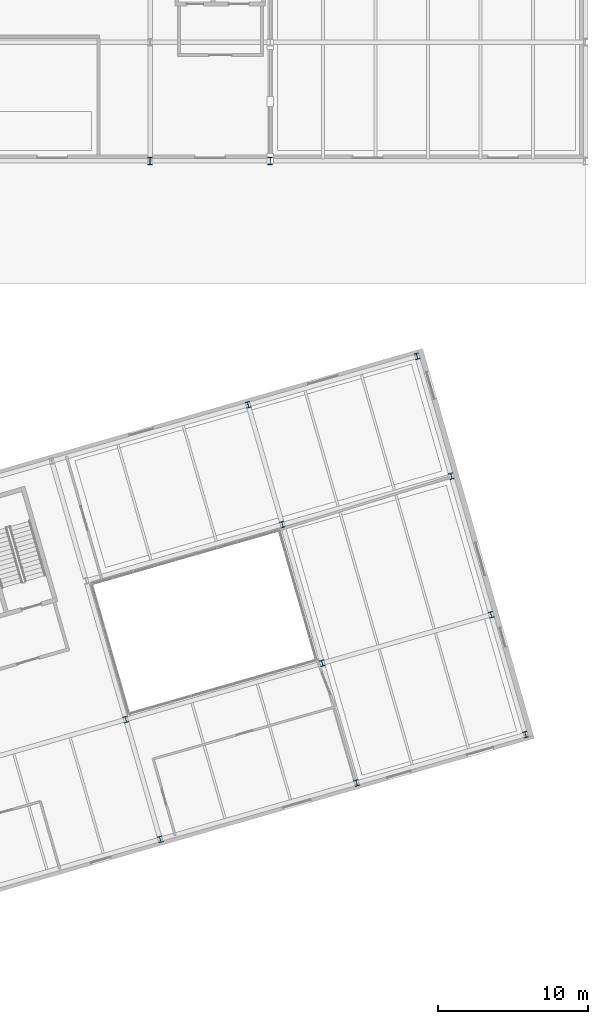
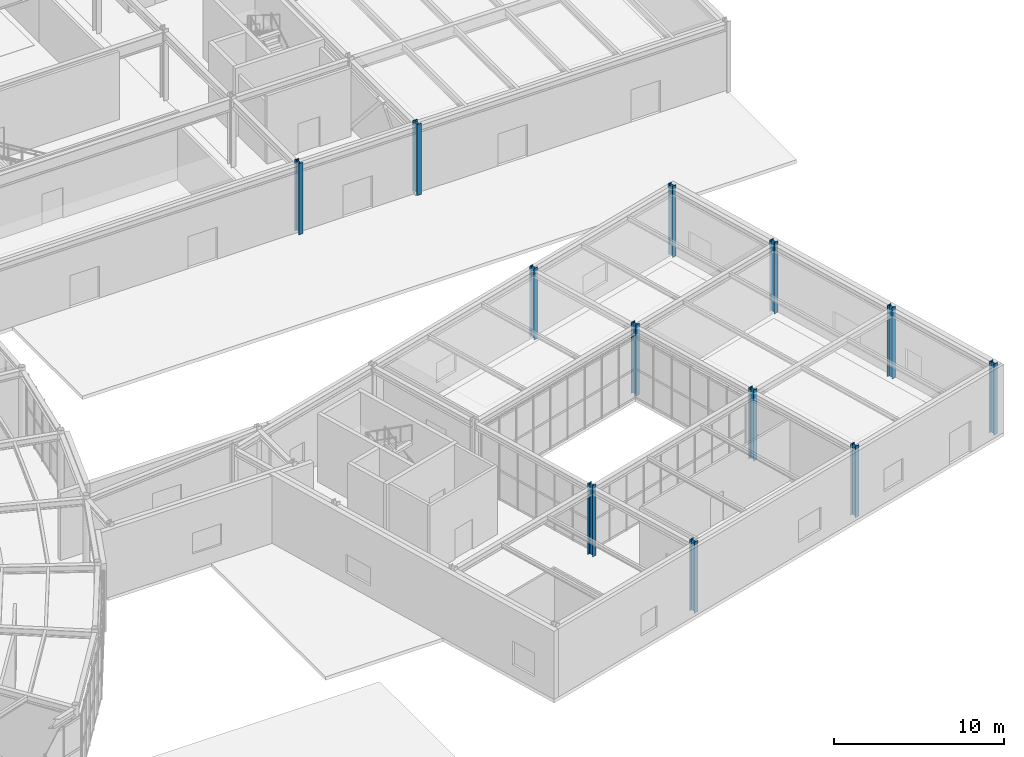
# One storey, part 15 of 97: 12 columns.
"""IFC4 building model written with IfcOpenShell, lengths in metres."""

from ifc_helpers import new_model, si_unit, direction, frame, origin, origin_2d, place, context, subcontext, project, spatial, i_section, extrude, material, material_profile, profile_set, type_object, element, save


model = new_model("IFC4")

# Units and contexts
model_context = context("Model", 3, precision=1e-05, world=origin(), true_north=direction((0.0, 1.0)))
body_context = subcontext(model_context, "Body", "Model", "MODEL_VIEW")
ifc_project = project(units=[si_unit("LENGTHUNIT", "METRE"), si_unit("AREAUNIT", "SQUARE_METRE"), si_unit("VOLUMEUNIT", "CUBIC_METRE"), si_unit("PLANEANGLEUNIT", "RADIAN"), si_unit("MASSUNIT", "GRAM", prefix="KILO")], contexts=[model_context])

# Site, building, storey
site_placement = place(None, origin())
site = spatial("IfcSite", under=ifc_project, at=site_placement, CompositionType="ELEMENT")
building_placement = place(site_placement, origin())
building = spatial("IfcBuilding", under=site, at=building_placement, Name="Varnklinge Art Gallery", CompositionType="ELEMENT")
storey_placement = place(building_placement, origin())
storey = spatial("IfcBuildingStorey", under=building, at=storey_placement, Name="L00", CompositionType="ELEMENT", Elevation=0.0)

# Columns
ifc_material_1 = material(Name="Steel S355", Category="steel")
ifc_material_profile_1 = material_profile(ifc_material_1, i_section(OverallWidth=0.300048828125, OverallDepth=0.39990234375, WebThickness=0.013427734375, FlangeThickness=0.02392578125, FilletRadius=0.027099609375, at=origin_2d()), Name="HEB 400")
ifc_profile_set_1 = profile_set([ifc_material_profile_1], Name="Steel S355")
column_type_1 = type_object("IfcColumnType", Name="COL-07", PredefinedType="COLUMN", material=ifc_profile_set_1)
for number, where, z_axis, x_axis, name in (
    (1, (133.78662109375, 21.01171875, 0.0), (0.0, 0.0, 1.0), (0.961261695938, 0.275637355817, 0.0), "L00 Column V6C-2-2"),
    (2, (146.859619140625, 24.76025390625, 0.0), (0.0, 0.0, 1.0), (0.961261695938, 0.275637355817, 0.0), "L00 Column V6C-3-2"),
    (3, (144.21337890625, 33.98828125, 0.0), (0.0, 0.0, 1.0), (0.961261695938, 0.275637355817, 0.0), "L00 Column V6C-3-3"),
):
    element("IfcColumn", number, at=place(storey_placement, frame(where, z_axis=z_axis, x_axis=x_axis)), inside=storey, type_object=column_type_1, Name=name, PredefinedType="COLUMN", context=body_context, shape_type="SweptSolid", body=[
        extrude(i_section(OverallWidth=0.300048828125, OverallDepth=0.39990234375, WebThickness=0.013427734375, FlangeThickness=0.02392578125, FilletRadius=0.027099609375, at=origin_2d()), origin(), (0.0, 0.0, 1.0), 5.10009765625),
    ])
ifc_material_2 = material(Name="Steel S355", Category="steel")
ifc_material_profile_2 = material_profile(ifc_material_2, i_section(OverallWidth=0.300048828125, OverallDepth=0.5, WebThickness=0.014404296875, FlangeThickness=0.028076171875, FilletRadius=0.027099609375, at=origin_2d()), Name="HEB 500")
ifc_profile_set_2 = profile_set([ifc_material_profile_2], Name="Steel S355")
column_type_2 = type_object("IfcColumnType", Name="COL-E1", PredefinedType="COLUMN", material=ifc_profile_set_2)
for number, where, z_axis, x_axis, name in (
    (4, (135.39990234375, 58.199951171875, 0.0), (0.0, 0.0, 1.0), (1.0, 0.0, 0.0), "L00 Column V1C-2-1"),
    (5, (143.39990234375, 58.199951171875, 0.0), (0.0, 0.0, 1.0), (1.0, 0.0, 0.0), "L00 Column V1C-3-1"),
):
    element("IfcColumn", number, at=place(storey_placement, frame(where, z_axis=z_axis, x_axis=x_axis)), inside=storey, type_object=column_type_2, Name=name, PredefinedType="COLUMN", context=body_context, shape_type="SweptSolid", body=[
        extrude(i_section(OverallWidth=0.300048828125, OverallDepth=0.5, WebThickness=0.014404296875, FlangeThickness=0.028076171875, FilletRadius=0.027099609375, at=origin_2d()), origin(), (0.0, 0.0, 1.0), 5.10009765625),
    ])
ifc_material_3 = material(Name="Steel S355", Category="steel")
ifc_material_profile_3 = material_profile(ifc_material_3, i_section(OverallWidth=0.300048828125, OverallDepth=0.39990234375, WebThickness=0.013427734375, FlangeThickness=0.02392578125, FilletRadius=0.027099609375, at=origin_2d()), Name="HEB 400")
ifc_profile_set_3 = profile_set([ifc_material_profile_3], Name="Steel S355")
column_type_3 = type_object("IfcColumnType", Name="COL-E3", PredefinedType="COLUMN", material=ifc_profile_set_3)
for number, where, z_axis, x_axis, name in (
    (6, (136.07421875, 13.033203125, 0.0), (0.0, 0.0, 1.0), (0.961261695938, 0.275637355817, 0.0), "L00 Column V6C-2-1"),
    (7, (149.1474609375, 16.78173828125, 0.0), (0.0, 0.0, 1.0), (0.961261695938, 0.275637355817, 0.0), "L00 Column V6C-3-1"),
    (8, (141.92578125, 41.966796875, 0.0), (0.0, 0.0, 1.0), (0.961261695938, 0.275637355817, 0.0), "L00 Column V6C-3-4"),
    (9, (160.394287109375, 20.0068359375, 0.0), (0.0, 0.0, 1.0), (0.961261695938, 0.275637355817, 0.0), "L00 Column V6C-4-1"),
    (10, (158.1064453125, 27.985107421875, 0.0), (0.0, 0.0, 1.0), (0.961261695938, 0.275637355817, 0.0), "L00 Column V6C-4-2"),
    (11, (155.460205078125, 37.21337890625, 0.0), (0.0, 0.0, 1.0), (0.961261695938, 0.275637355817, 0.0), "L00 Column V6C-4-3"),
    (12, (153.172607421875, 45.19189453125, 0.0), (0.0, 0.0, 1.0), (0.961261695938, 0.275637355817, 0.0), "L00 Column V6C-4-4"),
):
    element("IfcColumn", number, at=place(storey_placement, frame(where, z_axis=z_axis, x_axis=x_axis)), inside=storey, type_object=column_type_3, Name=name, PredefinedType="COLUMN", context=body_context, shape_type="SweptSolid", body=[
        extrude(i_section(OverallWidth=0.300048828125, OverallDepth=0.39990234375, WebThickness=0.013427734375, FlangeThickness=0.02392578125, FilletRadius=0.027099609375, at=origin_2d()), origin(), (0.0, 0.0, 1.0), 5.10009765625),
    ])

save(model, "model.ifc")
